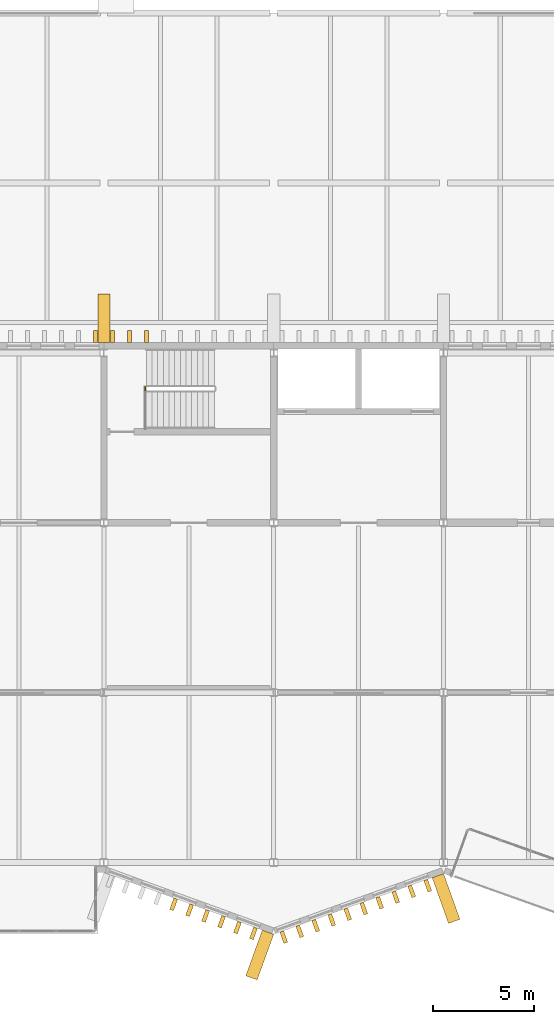
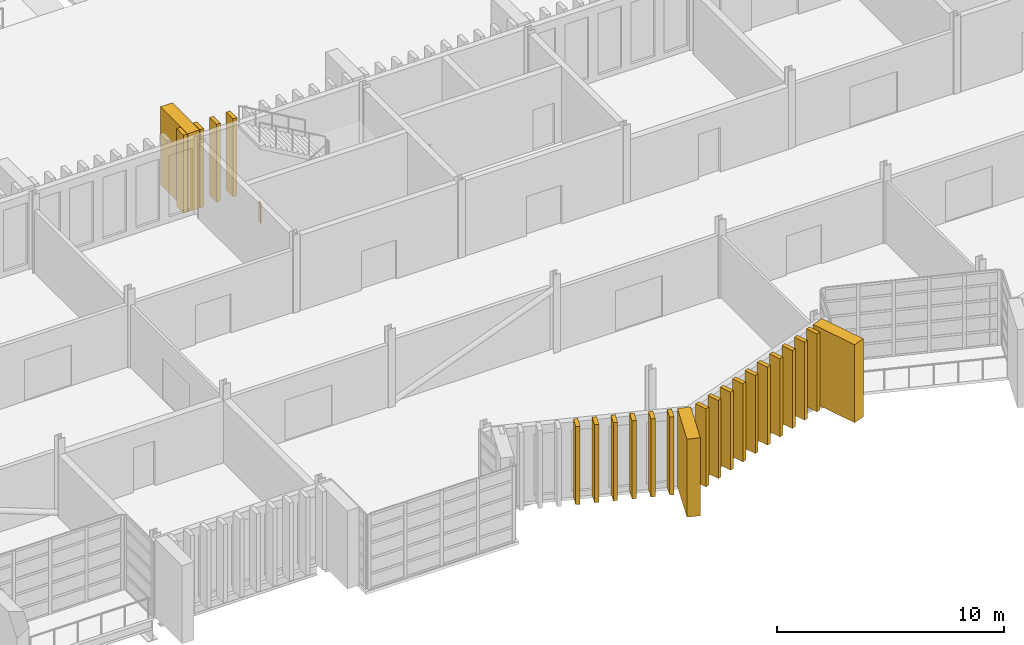
# One storey, part 83 of 96: 23 coverings, 1 railing.
"""IFC4 building model written with IfcOpenShell, lengths in metres."""

import ifcopenshell
import ifcopenshell.guid

model = None  # the IFC model being written
_history = None  # IfcOwnerHistory: only IFC2X3 demands one
_inside = {}  # id of a spatial element -> (the spatial element, [elements in it])
_under = {}  # id of a project, library or spatial element -> (it, [spatial elements below it])
_declared = {}  # id of a project -> (the project, [libraries it declares])
_typed = {}  # id of a type object -> (the type object, [elements of that type])
_made_of = {}  # id of a material, layer set ... -> (it, [elements and type objects made of it])


def new_model(schema):
    """Start an empty IFC model of exactly this schema.

    Asked for "IFC4X3", IfcOpenShell would pick the latest addendum, in which some entities
    have other attributes; the version numbers below select the first issue.
    IFC2X3 requires an IfcOwnerHistory on every rooted entity: one is made here for all.
    """
    global model, _history
    if schema == "IFC4X3":
        model = ifcopenshell.file(schema_version=(4, 3, 0, 0))
    else:
        model = ifcopenshell.file(schema=schema)
    _inside.clear()
    _under.clear()
    _declared.clear()
    _typed.clear()
    _made_of.clear()
    _history = None
    if model.schema == "IFC2X3":
        org = make("IfcOrganization", Name="unknown")
        user = make(
            "IfcPersonAndOrganization",
            ThePerson=make("IfcPerson", FamilyName="unknown"),
            TheOrganization=org,
        )
        app = make(
            "IfcApplication",
            ApplicationDeveloper=org,
            Version="unknown",
            ApplicationFullName="unknown",
            ApplicationIdentifier="unknown",
        )
        _history = make(
            "IfcOwnerHistory",
            OwningUser=user,
            OwningApplication=app,
            ChangeAction="ADDED",
            CreationDate=0,
        )
    return model


def make(cls, **values):
    """One entity of the class cls with the attributes given. An attribute that is None is left unset."""
    return model.create_entity(
        cls, **{name: value for name, value in values.items() if value is not None}
    )


def rooted(cls, **values):
    """An entity with a GlobalId (a new one), such as an element, a storey or a relation."""
    return make(cls, GlobalId=ifcopenshell.guid.new(), OwnerHistory=_history, **values)


def si_unit(unit_type, name, prefix=None):
    """IfcSIUnit, for example si_unit("LENGTHUNIT", "METRE", prefix="MILLI")."""
    return make("IfcSIUnit", UnitType=unit_type, Prefix=prefix, Name=name)


def assignment(units):
    """IfcUnitAssignment: the units of a project."""
    return None if units is None else make("IfcUnitAssignment", Units=units)


def point(xyz):
    """IfcCartesianPoint."""
    return None if xyz is None else make("IfcCartesianPoint", Coordinates=xyz)


def direction(xyz):
    """IfcDirection."""
    return None if xyz is None else make("IfcDirection", DirectionRatios=xyz)


def frame(location, z_axis=None, x_axis=None):
    """IfcAxis2Placement3D, a coordinate frame: its origin and axes. An axis left out is left unset."""
    return make(
        "IfcAxis2Placement3D",
        Location=point(location),
        Axis=direction(z_axis),
        RefDirection=direction(x_axis),
    )


def frame_2d(location, x_axis=None):
    """IfcAxis2Placement2D, a coordinate frame in the plane: its origin and x axis."""
    return make(
        "IfcAxis2Placement2D", Location=point(location), RefDirection=direction(x_axis)
    )


def origin():
    """The frame at (0, 0, 0) with its axes left unset."""
    return frame((0.0, 0.0, 0.0))


def origin_2d():
    """The frame at (0, 0) in the plane with its x axis left unset."""
    return frame_2d((0.0, 0.0))


def place(relative_to, where):
    """IfcLocalPlacement: puts the frame where relative to a parent placement (None: the world)."""
    return make(
        "IfcLocalPlacement", PlacementRelTo=relative_to, RelativePlacement=where
    )


def context(
    kind, dimensions, precision=None, world=None, true_north=None, identifier=None
):
    """IfcGeometricRepresentationContext, for example the 3D "Model" context."""
    return make(
        "IfcGeometricRepresentationContext",
        ContextIdentifier=identifier,
        ContextType=kind,
        CoordinateSpaceDimension=dimensions,
        Precision=precision,
        WorldCoordinateSystem=world,
        TrueNorth=true_north,
    )


def subcontext(parent, identifier, kind, view, scale=None):
    """IfcGeometricRepresentationSubContext, for example "Body" below "Model"."""
    return make(
        "IfcGeometricRepresentationSubContext",
        ContextIdentifier=identifier,
        ContextType=kind,
        ParentContext=parent,
        TargetScale=scale,
        TargetView=view,
    )


def project(units=None, contexts=None):
    """IfcProject with its units and contexts."""
    return rooted(
        "IfcProject",
        Name="project",
        RepresentationContexts=contexts,
        UnitsInContext=assignment(units),
    )


def spatial(cls, under=None, at=None, **own):
    """A site, building, storey or space (cls), placed at a placement, below another one or the project."""
    s = rooted(cls, ObjectPlacement=at, **own)
    if under is not None:
        _under.setdefault(under.id(), (under, []))[1].append(s)
    return s


def profile(cls, at=None, kind="AREA", **sizes):
    """A parametric profile (cls). Its sizes go by their IFC names, for example OverallWidth=200.0."""
    return make(cls, ProfileType=kind, Position=at, **sizes)


def rectangle(**sizes):
    """IfcRectangleProfileDef."""
    return profile("IfcRectangleProfileDef", **sizes)


def circle(**sizes):
    """IfcCircleProfileDef."""
    return profile("IfcCircleProfileDef", **sizes)


def extrude(swept, where, along, depth):
    """IfcExtrudedAreaSolid: the profile swept, set in the frame where, extruded along a direction by depth."""
    return make(
        "IfcExtrudedAreaSolid",
        SweptArea=swept,
        Position=where,
        ExtrudedDirection=direction(along),
        Depth=depth,
    )


def shape(context_of_items, identifier, shape_type, items):
    """IfcShapeRepresentation: the items that make up one representation, for example the "Body"."""
    return make(
        "IfcShapeRepresentation",
        ContextOfItems=context_of_items,
        RepresentationIdentifier=identifier,
        RepresentationType=shape_type,
        Items=items,
    )


def material(Name=None, Category=None):
    """IfcMaterial."""
    return make("IfcMaterial", Name=Name, Category=Category)


def made_of(thing, what):
    """Note that an element or type object is made of a material, layer set ...; save() writes the relation."""
    if what is not None:
        _made_of.setdefault(what.id(), (what, []))[1].append(thing)
    return thing


def type_object(cls, material=None, **own):
    """A type object (cls), such as IfcWallType, which elements share."""
    return made_of(rooted(cls, **own), material)


def element(
    cls,
    number,
    at=None,
    inside=None,
    cuts=None,
    type_object=None,
    material=None,
    context=None,
    identifier="Body",
    shape_type=None,
    held_by="IfcProductDefinitionShape",
    body=None,
    shapes=None,
    **own,
):
    """One element of the class cls, such as IfcWall. Its Tag is "e" and its number.

    at: its placement. inside: the storey or other place that contains it. cuts: it is an
    opening in that element (IfcRelVoidsElement). A single representation is given by context,
    identifier, shape_type and body (its items); several are given by shapes. held_by: the class
    of the entity that holds the representations. save() writes the other relations.
    """
    e = rooted(cls, Tag="e%d" % number, ObjectPlacement=at, **own)
    if body is not None:
        shapes = [shape(context, identifier, shape_type, body)]
    if shapes is not None:
        e.Representation = make(held_by, Representations=shapes)
    if inside is not None:
        _inside.setdefault(inside.id(), (inside, []))[1].append(e)
    if cuts is not None:
        rooted(
            "IfcRelVoidsElement", RelatingBuildingElement=cuts, RelatedOpeningElement=e
        )
    if type_object is not None:
        _typed.setdefault(type_object.id(), (type_object, []))[1].append(e)
    return made_of(e, material)


def aggregate(whole, parts):
    """IfcRelAggregates: a whole, such as a stair, and the parts it consists of."""
    return rooted("IfcRelAggregates", RelatingObject=whole, RelatedObjects=parts)


def save(model, path):
    """Write the relations noted so far, then the file.

    IfcRelAggregates (storeys below a building ...), IfcRelContainedInSpatialStructure (elements
    in a storey), IfcRelDefinesByType, IfcRelAssociatesMaterial and IfcRelDeclares: one each for
    every whole, place, type object, material and project.
    """
    for whole, parts in _under.values():
        aggregate(whole, parts)
    for where, things in _inside.values():
        rooted(
            "IfcRelContainedInSpatialStructure",
            RelatedElements=things,
            RelatingStructure=where,
        )
    for kind, things in _typed.values():
        rooted("IfcRelDefinesByType", RelatedObjects=things, RelatingType=kind)
    for what, things in _made_of.values():
        rooted("IfcRelAssociatesMaterial", RelatedObjects=things, RelatingMaterial=what)
    for by, libraries in _declared.values():
        rooted("IfcRelDeclares", RelatingContext=by, RelatedDefinitions=libraries)
    model.write(path)


model = new_model("IFC4")

# Units and contexts
model_context = context("Model", 3, precision=1e-05, world=origin(), true_north=direction((0.0, 1.0)))
body_context = subcontext(model_context, "Body", "Model", "MODEL_VIEW")
ifc_project = project(units=[si_unit("LENGTHUNIT", "METRE"), si_unit("AREAUNIT", "SQUARE_METRE"), si_unit("VOLUMEUNIT", "CUBIC_METRE"), si_unit("PLANEANGLEUNIT", "RADIAN"), si_unit("MASSUNIT", "GRAM", prefix="KILO")], contexts=[model_context])

# Site, building, storey
site_placement = place(None, origin())
site = spatial("IfcSite", under=ifc_project, at=site_placement, CompositionType="ELEMENT")
building_placement = place(site_placement, origin())
building = spatial("IfcBuilding", under=site, at=building_placement, Name="Cresset Court Congress Hotel", CompositionType="ELEMENT")
storey_placement = place(building_placement, frame((0.0, 0.0, 6.0)))
storey = spatial("IfcBuildingStorey", under=building, at=storey_placement, Name="L01", CompositionType="ELEMENT", Elevation=6.0)

# Railing
ifc_material_1 = material(Name="Steel and laminated glass", Category="steel")
railing_type = type_object("IfcRailingType", Name="Guard 1100 steel and glass", PredefinedType="GUARDRAIL", material=ifc_material_1)
railing_placement = place(storey_placement, frame((102.85009765625, 23.35009765625, 0.0)))
element("IfcRailing", 1, at=railing_placement, inside=storey, type_object=railing_type, Name="L01 ST-B4 stair guard 4", PredefinedType="GUARDRAIL", context=body_context, shape_type="SweptSolid", body=[
    extrude(circle(Radius=0.02392578125, at=origin_2d()), frame((0.0, 0.0, 1.076171875), z_axis=(0.0, 1.0, 0.0), x_axis=(-1.0, 0.0, 0.0)), (0.0, 0.0, 1.0), 0.14990234375),
    extrude(circle(Radius=0.02099609375, at=origin_2d()), origin(), (0.0, 0.0, 1.0), 1.052001953125),
    extrude(circle(Radius=0.02099609375, at=origin_2d()), frame((0.0, 0.14990234375, 0.0)), (0.0, 0.0, 1.0), 1.052001953125),
])

# Coverings
ifc_material_2 = material(Name="Precast concrete C50", Category="concrete")
covering_type_1 = type_object("IfcCoveringType", Name="Precast stone fin 200x600 variant 1", PredefinedType="CLADDING", material=ifc_material_2)
for number, where, z_axis, x_axis, name in (
    (2, (104.250732421875, -2.072021484375, 0.0), (0.0, 0.0, 1.0), (0.939956783309, -0.341293488819, 0.0), "Fin S01-114"),
    (3, (105.040283203125, -2.358642578125, 0.0), (0.0, 0.0, 1.0), (0.939956783309, -0.341293488819, 0.0), "Fin S01-115"),
    (4, (105.829833984375, -2.6455078125, 0.0), (0.0, 0.0, 1.0), (0.939956783309, -0.341293488819, 0.0), "Fin S01-116"),
    (5, (106.619384765625, -2.93212890625, 0.0), (0.0, 0.0, 1.0), (0.939956783309, -0.341293488819, 0.0), "Fin S01-117"),
    (6, (107.408935546875, -3.21875, 0.0), (0.0, 0.0, 1.0), (0.939956783309, -0.341293488819, 0.0), "Fin S01-118"),
    (7, (108.198486328125, -3.505615234375, 0.0), (0.0, 0.0, 1.0), (0.939956783309, -0.341293488819, 0.0), "Fin S01-119"),
    (8, (109.696533203125, -3.691162109375, 0.0), (0.0, 0.0, 1.0), (0.94174205282, 0.336336001568, 0.0), "Fin S01-120"),
    (9, (110.487548828125, -3.40869140625, 0.0), (0.0, 0.0, 1.0), (0.94174205282, 0.336336001568, 0.0), "Fin S01-121"),
    (10, (111.278564453125, -3.126220703125, 0.0), (0.0, 0.0, 1.0), (0.94174205282, 0.336336001568, 0.0), "Fin S01-122"),
    (11, (112.069580078125, -2.84375, 0.0), (0.0, 0.0, 1.0), (0.94174205282, 0.336336001568, 0.0), "Fin S01-123"),
    (12, (112.860595703125, -2.561279296875, 0.0), (0.0, 0.0, 1.0), (0.94174205282, 0.336336001568, 0.0), "Fin S01-124"),
    (13, (113.65185546875, -2.278564453125, 0.0), (0.0, 0.0, 1.0), (0.94174205282, 0.336336001568, 0.0), "Fin S01-125"),
    (14, (114.44287109375, -1.99609375, 0.0), (0.0, 0.0, 1.0), (0.94174205282, 0.336336001568, 0.0), "Fin S01-126"),
    (15, (115.23388671875, -1.713623046875, 0.0), (0.0, 0.0, 1.0), (0.94174205282, 0.336336001568, 0.0), "Fin S01-127"),
    (16, (116.02490234375, -1.43115234375, 0.0), (0.0, 0.0, 1.0), (0.94174205282, 0.336336001568, 0.0), "Fin S01-128"),
    (17, (116.81591796875, -1.1484375, 0.0), (0.0, 0.0, 1.0), (0.94174205282, 0.336336001568, 0.0), "Fin S01-129"),
    (18, (100.3798828125, 26.0, 0.0), (0.0, 0.0, 1.0), (1.0, 0.0, 0.0), "Fin N01-109"),
    (19, (101.219970703125, 26.0, 0.0), (0.0, 0.0, 1.0), (1.0, 0.0, 0.0), "Fin N01-110"),
    (20, (102.06005859375, 26.0, 0.0), (0.0, 0.0, 1.0), (1.0, 0.0, 0.0), "Fin N01-111"),
    (21, (102.89990234375, 26.0, 0.0), (0.0, 0.0, 1.0), (1.0, 0.0, 0.0), "Fin N01-112"),
):
    element("IfcCovering", number, at=place(storey_placement, frame(where, z_axis=z_axis, x_axis=x_axis)), inside=storey, type_object=covering_type_1, Name=name, PredefinedType="CLADDING", context=body_context, shape_type="SweptSolid", body=[
        extrude(rectangle(XDim=0.199951171875, YDim=0.60009765625, at=origin_2d()), origin(), (0.0, 0.0, 1.0), 4.199951171875),
    ])
ifc_material_3 = material(Name="Precast concrete C50", Category="concrete")
covering_type_2 = type_object("IfcCoveringType", Name="Precast stone pier 600x2400", PredefinedType="CLADDING", material=ifc_material_3)
for number, where, z_axis, x_axis, name in (
    (22, (108.508544921875, -4.575439453125, 0.0), (0.0, 0.0, 1.0), (0.939956783309, -0.341293488819, 0.0), "Pier S01-12"),
    (23, (117.72119140625, -1.781005859375, 0.0), (0.0, 0.0, 1.0), (0.94174205282, 0.336336001568, 0.0), "Pier S01-13"),
    (24, (100.800048828125, 26.89990234375, 0.0), (0.0, 0.0, 1.0), (1.0, 0.0, 0.0), "Pier N01-11"),
):
    element("IfcCovering", number, at=place(storey_placement, frame(where, z_axis=z_axis, x_axis=x_axis)), inside=storey, type_object=covering_type_2, Name=name, PredefinedType="CLADDING", context=body_context, shape_type="SweptSolid", body=[
        extrude(rectangle(XDim=0.60009765625, YDim=2.39990234375, at=origin_2d()), origin(), (0.0, 0.0, 1.0), 4.199951171875),
    ])

save(model, "model.ifc")
